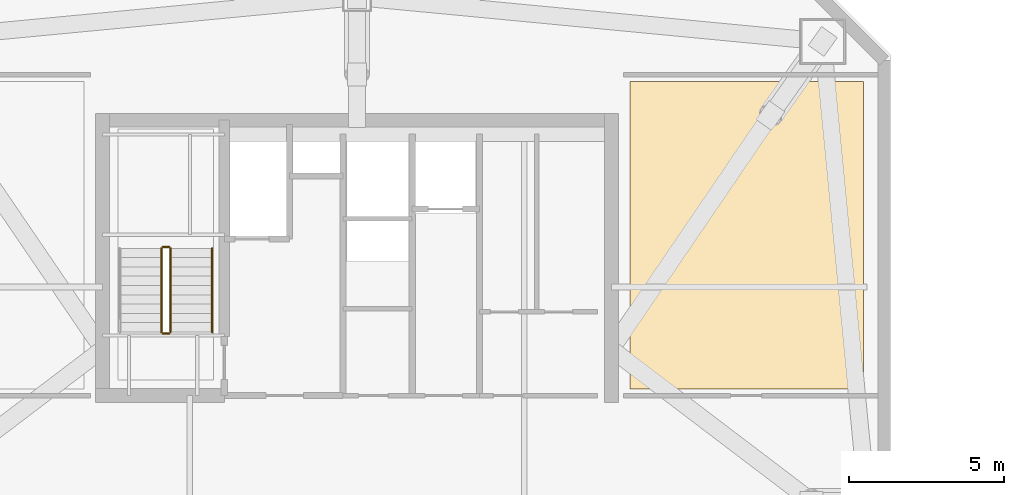
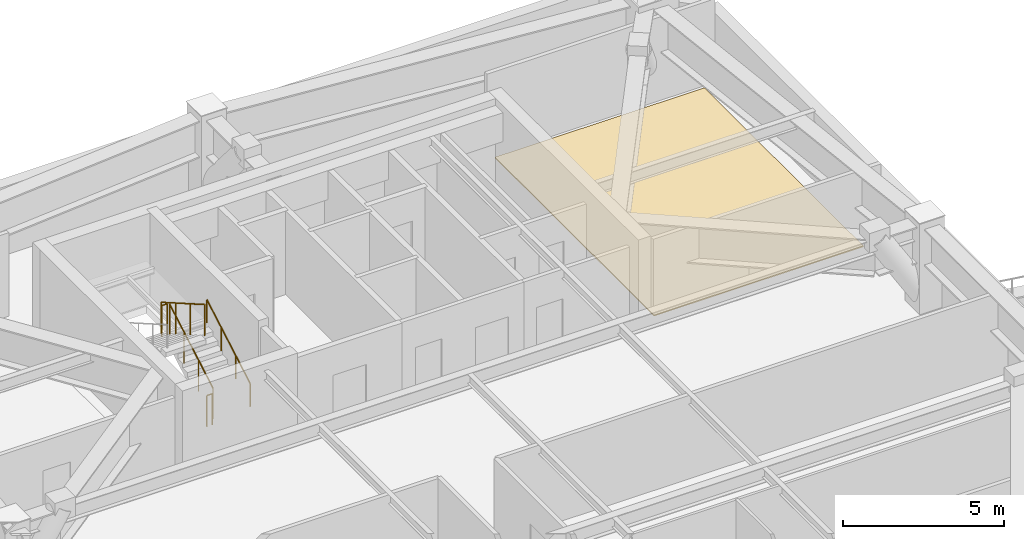
# One storey, part 15 of 18: 5 railings, 1 covering.
"""IFC4 building model written with IfcOpenShell, lengths in metres."""

from ifc_helpers import new_model, si_unit, direction, frame, origin, origin_2d, place, context, subcontext, project, spatial, polyline, circle, outline, extrude, material, layer, layer_set, type_object, element, save


model = new_model("IFC4")

# Units and contexts
model_context = context("Model", 3, precision=1e-05, world=origin(), true_north=direction((0.0, 1.0)))
body_context = subcontext(model_context, "Body", "Model", "MODEL_VIEW")
ifc_project = project(units=[si_unit("LENGTHUNIT", "METRE"), si_unit("AREAUNIT", "SQUARE_METRE"), si_unit("VOLUMEUNIT", "CUBIC_METRE"), si_unit("PLANEANGLEUNIT", "RADIAN"), si_unit("MASSUNIT", "GRAM", prefix="KILO")], contexts=[model_context])

# Site, building, storey
site_placement = place(None, origin())
site = spatial("IfcSite", under=ifc_project, at=site_placement, CompositionType="ELEMENT")
building_placement = place(site_placement, origin())
building = spatial("IfcBuilding", under=site, at=building_placement, Name="Qiaolan Cultural Towers", CompositionType="ELEMENT")
storey_placement = place(building_placement, frame((0.0, 0.0, 219.64990234375)))
storey = spatial("IfcBuildingStorey", under=building, at=storey_placement, Name="L59", CompositionType="ELEMENT", Elevation=219.64990234375)

# Covering
ifc_material_1 = material(Name="Honed Terrazzo & Raised Access Flooring", Category="concrete")
ifc_layer = layer(ifc_material_1, 0.0400390625)
ifc_layer_set = layer_set([ifc_layer], Name="Honed Terrazzo & Raised Access Flooring")
covering_type = type_object("IfcCoveringType", Name="COV-FLR-STONE", PredefinedType="FLOORING", material=ifc_layer_set)
covering_placement = place(storey_placement, origin())
element("IfcCovering", 1, at=covering_placement, inside=storey, type_object=covering_type, Name="L59 Corner Sky Park Cultural Salon Finish Flooring", PredefinedType="FLOORING", context=body_context, shape_type="SweptSolid", body=[
    extrude(outline(polyline([(46.330078125, 46.6201171875), (46.330078125, 56.530029296875), (38.800048828125, 56.530029296875), (38.800048828125, 46.6201171875), (46.330078125, 46.6201171875)])), origin(), (0.0, 0.0, 1.0), 0.0400390625),
])

# Railings
ifc_material_2 = material(Name="Galvanized Painted Steel Stair Guardrail", Category="steel")
railing_type_1 = type_object("IfcRailingType", Name="RL-STAIR-GRD", PredefinedType="GUARDRAIL", material=ifc_material_2)
railing_1_placement = place(storey_placement, frame((23.989990234375, 48.449951171875, 0.172607421875)))
element("IfcRailing", 2, at=railing_1_placement, inside=storey, type_object=railing_type_1, Name="L59 ST-W2 stair guard 1", PredefinedType="GUARDRAIL", context=body_context, shape_type="SweptSolid", body=[
    extrude(circle(Radius=0.02392578125, at=origin_2d()), frame((0.0, 0.0, 1.17578125), z_axis=(0.0, 0.866903762492, 0.498475542607), x_axis=(-1.0, 0.0, 0.0)), (0.0, 0.0, 1.0), 3.114501953125),
    extrude(circle(Radius=0.02099609375, at=origin_2d()), origin(), (0.0, 0.0, 1.0), 1.15185546875),
    extrude(circle(Radius=0.02099609375, at=origin_2d()), frame((0.0, 0.89990234375, 0.517578125)), (0.0, 0.0, 1.0), 1.15185546875),
    extrude(circle(Radius=0.02099609375, at=origin_2d()), frame((0.0, 1.800048828125, 1.034912109375)), (0.0, 0.0, 1.0), 1.15185546875),
    extrude(circle(Radius=0.02099609375, at=origin_2d()), frame((0.0, 2.699951171875, 1.552490234375)), (0.0, 0.0, 1.0), 1.15185546875),
])
railing_2_placement = place(storey_placement, frame((23.93994140625, 51.199951171875, 1.72509765625)))
element("IfcRailing", 3, at=railing_2_placement, inside=storey, type_object=railing_type_1, Name="L59 ST-W2 stair guard 2", PredefinedType="GUARDRAIL", context=body_context, shape_type="SweptSolid", body=[
    extrude(circle(Radius=0.02392578125, at=origin_2d()), frame((0.0, 0.0, 1.17578125), z_axis=(-1.0, 0.0, 0.0), x_axis=(0.0, -1.0, 0.0)), (0.0, 0.0, 1.0), 0.199951171875),
    extrude(circle(Radius=0.02099609375, at=origin_2d()), origin(), (0.0, 0.0, 1.0), 1.15185546875),
    extrude(circle(Radius=0.02099609375, at=origin_2d()), frame((-0.199951171875, 0.0, 0.0)), (0.0, 0.0, 1.0), 1.15185546875),
])
railing_3_placement = place(storey_placement, frame((23.68994140625, 51.14990234375, 1.897705078125)))
element("IfcRailing", 4, at=railing_3_placement, inside=storey, type_object=railing_type_1, Name="L59 ST-W2 stair guard 3", PredefinedType="GUARDRAIL", context=body_context, shape_type="SweptSolid", body=[
    extrude(circle(Radius=0.02392578125, at=origin_2d()), frame((0.0, 0.0, 1.17578125), z_axis=(0.0, -0.866903762492, 0.498475542607), x_axis=(1.0, 0.0, 0.0)), (0.0, 0.0, 1.0), 3.114501953125),
    extrude(circle(Radius=0.02099609375, at=origin_2d()), origin(), (0.0, 0.0, 1.0), 1.15185546875),
    extrude(circle(Radius=0.02099609375, at=origin_2d()), frame((0.0, -0.89990234375, 0.517578125)), (0.0, 0.0, 1.0), 1.15185546875),
    extrude(circle(Radius=0.02099609375, at=origin_2d()), frame((0.0, -1.800048828125, 1.034912109375)), (0.0, 0.0, 1.0), 1.15185546875),
    extrude(circle(Radius=0.02099609375, at=origin_2d()), frame((0.0, -2.699951171875, 1.552490234375)), (0.0, 0.0, 1.0), 1.15185546875),
])
railing_4_placement = place(storey_placement, frame((23.93994140625, 48.39990234375, 0.0)))
element("IfcRailing", 5, at=railing_4_placement, inside=storey, type_object=railing_type_1, Name="L59 ST-W2 stair guard 4", PredefinedType="GUARDRAIL", context=body_context, shape_type="SweptSolid", body=[
    extrude(circle(Radius=0.02392578125, at=origin_2d()), frame((0.0, 0.0, 1.17578125), z_axis=(-1.0, 0.0, 0.0), x_axis=(0.0, -1.0, 0.0)), (0.0, 0.0, 1.0), 0.199951171875),
    extrude(circle(Radius=0.02099609375, at=origin_2d()), origin(), (0.0, 0.0, 1.0), 1.15185546875),
    extrude(circle(Radius=0.02099609375, at=origin_2d()), frame((-0.199951171875, 0.0, 0.0)), (0.0, 0.0, 1.0), 1.15185546875),
])
ifc_material_3 = material(Name="Stainless Steel S30408 Tubular Handrail", Category="steel")
railing_type_2 = type_object("IfcRailingType", Name="RL-STAIR-HR", PredefinedType="HANDRAIL", material=ifc_material_3)
railing_5_placement = place(storey_placement, frame((25.330078125, 48.449951171875, 0.172607421875)))
element("IfcRailing", 6, at=railing_5_placement, inside=storey, type_object=railing_type_2, Name="L59 ST-W2 stair handrail 1", PredefinedType="HANDRAIL", context=body_context, shape_type="SweptSolid", body=[
    extrude(circle(Radius=0.02392578125, at=origin_2d()), frame((0.0, 0.0, 0.8759765625), z_axis=(0.0, 0.866903762492, 0.498475542607), x_axis=(-1.0, 0.0, 0.0)), (0.0, 0.0, 1.0), 3.114501953125),
    extrude(circle(Radius=0.02099609375, at=origin_2d()), origin(), (0.0, 0.0, 1.0), 0.851806640625),
    extrude(circle(Radius=0.02099609375, at=origin_2d()), frame((0.0, 0.89990234375, 0.517578125)), (0.0, 0.0, 1.0), 0.851806640625),
    extrude(circle(Radius=0.02099609375, at=origin_2d()), frame((0.0, 1.800048828125, 1.034912109375)), (0.0, 0.0, 1.0), 0.851806640625),
    extrude(circle(Radius=0.02099609375, at=origin_2d()), frame((0.0, 2.699951171875, 1.552490234375)), (0.0, 0.0, 1.0), 0.851806640625),
])

save(model, "model.ifc")
